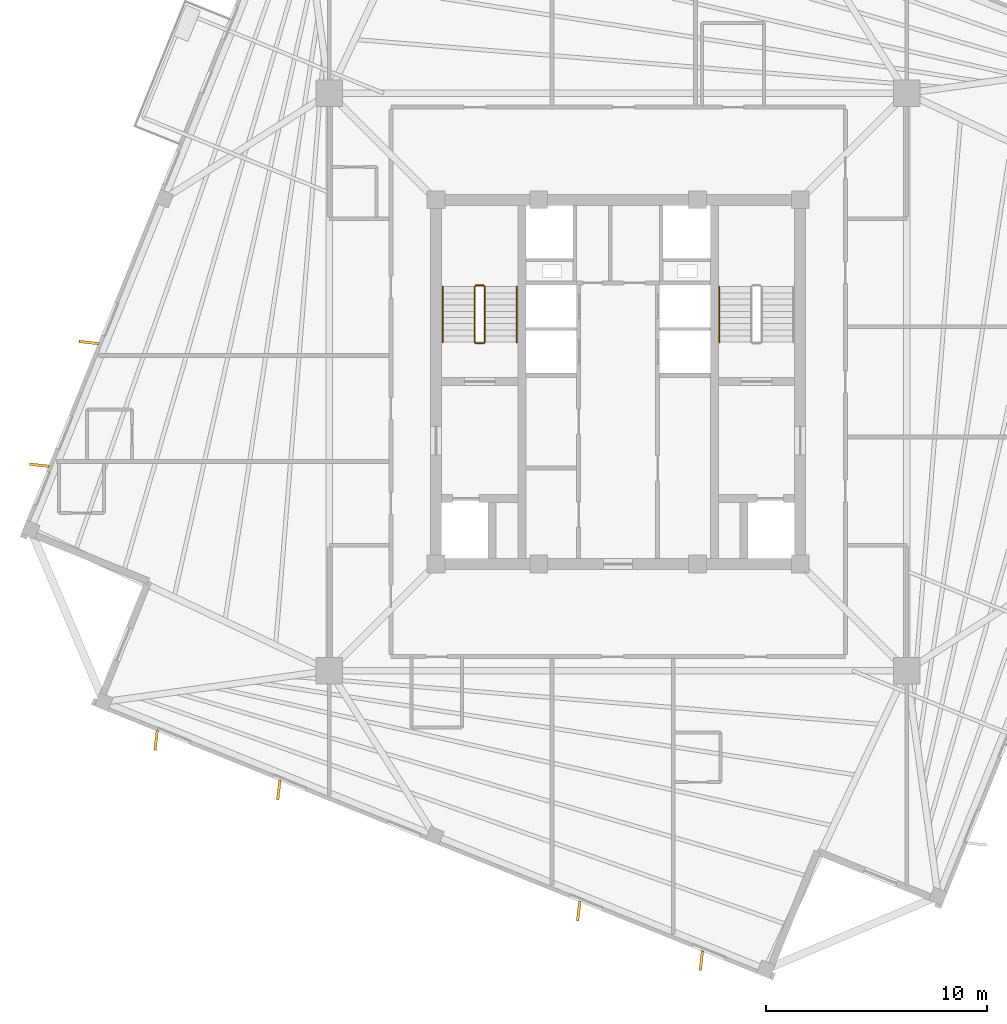
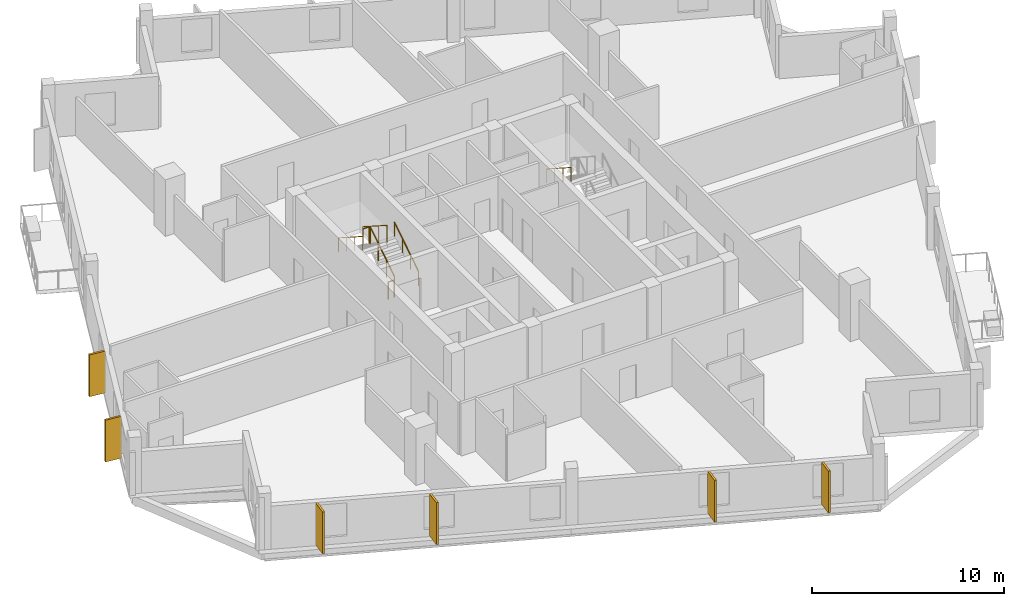
# One storey, part 6 of 8: 7 railings, 6 coverings.
"""IFC4 building model written with IfcOpenShell, lengths in metres."""

from ifc_helpers import new_model, si_unit, direction, frame, origin, origin_2d, place, context, subcontext, project, spatial, rectangle, circle, extrude, source, transform, mapped, material, layer, layer_set, type_object, element, save


model = new_model("IFC4")

# Units and contexts
model_context = context("Model", 3, precision=1e-05, world=origin(), true_north=direction((0.0, 1.0)))
body_context = subcontext(model_context, "Body", "Model", "MODEL_VIEW")
ifc_project = project(units=[si_unit("LENGTHUNIT", "METRE"), si_unit("AREAUNIT", "SQUARE_METRE"), si_unit("VOLUMEUNIT", "CUBIC_METRE"), si_unit("PLANEANGLEUNIT", "RADIAN"), si_unit("MASSUNIT", "GRAM", prefix="KILO"), si_unit("THERMODYNAMICTEMPERATUREUNIT", "KELVIN")], contexts=[model_context])

# Site, building, storey
site_placement = place(None, origin())
site = spatial("IfcSite", under=ifc_project, at=site_placement, CompositionType="ELEMENT")
building_placement = place(site_placement, origin())
building = spatial("IfcBuilding", under=site, at=building_placement, Name="Kosmvard Interchange Tower", CompositionType="ELEMENT")
storey_placement = place(building_placement, frame((0.0, 0.0, 304.800048828125)))
storey = spatial("IfcBuildingStorey", under=building, at=storey_placement, Name="L75", CompositionType="ELEMENT", Elevation=304.800048828125)

# Coverings
ifc_material_1 = material(Name="Architectural anodised aluminium", Category="aluminium")
ifc_layer = layer(ifc_material_1, 0.1201171875, Name="Architectural anodised aluminium")
ifc_layer_set = layer_set([ifc_layer], Name="Architectural anodised aluminium")
covering_type = type_object("IfcCoveringType", Name="Rotating Vertical Sun-Breaker Fin 900x120 Aluminium", PredefinedType="CLADDING", material=ifc_layer_set)
shared_shape_1 = source(origin(), body_context, "Body", "SweptSolid", [
    extrude(rectangle(XDim=0.89990234375, YDim=0.1201171875, at=origin_2d()), origin(), (0.0, 0.0, 1.0), 2.669921875),
])
for number, where, z_axis, x_axis, name in (
    (1, (-23.977783203125, 1.783935546875, 0.0400390625), (0.0, 0.0, 1.0), (-0.99367026578, 0.112336115762, 0.0), "L75 Rotating Vertical Sun-Breaker Fin 09"),
    (2, (-26.223876953125, -3.775390625, 0.0400390625), (0.0, 0.0, 1.0), (-0.99367026578, 0.112336115762, 0.0), "L75 Rotating Vertical Sun-Breaker Fin 10"),
    (3, (-20.932373046875, -16.2412109375, 0.0400390625), (0.0, 0.0, 1.0), (-0.112336115762, -0.99367026578, 0.0), "L75 Rotating Vertical Sun-Breaker Fin 11"),
    (4, (-15.373046875, -18.4873046875, 0.0400390625), (0.0, 0.0, 1.0), (-0.112336115762, -0.99367026578, 0.0), "L75 Rotating Vertical Sun-Breaker Fin 12"),
    (5, (-1.783935546875, -23.977783203125, 0.0400390625), (0.0, 0.0, 1.0), (-0.112336115762, -0.99367026578, 0.0), "L75 Rotating Vertical Sun-Breaker Fin 13"),
    (6, (3.775390625, -26.223876953125, 0.0400390625), (0.0, 0.0, 1.0), (-0.112336115762, -0.99367026578, 0.0), "L75 Rotating Vertical Sun-Breaker Fin 14"),
):
    element("IfcCovering", number, at=place(storey_placement, frame(where, z_axis=z_axis, x_axis=x_axis)), inside=storey, type_object=covering_type, Name=name, PredefinedType="CLADDING", context=body_context, shape_type="MappedRepresentation", body=[
        mapped(shared_shape_1, transform((0.0, 0.0, 0.0), scale=1.0)),
    ])

# Railings
ifc_material_2 = material(Name="Steel S355", Category="steel")
railing_type_1 = type_object("IfcRailingType", Name="Stair & Terrace Safety Guardrail 1100 Steel", PredefinedType="GUARDRAIL", material=ifc_material_2)
shared_shape_2 = source(origin(), body_context, "Body", "SweptSolid", [
    extrude(circle(Radius=0.02392578125, at=origin_2d()), frame((0.0, 0.0, 1.076171875), z_axis=(-1.0, 0.0, 0.0), x_axis=(0.0, -1.0, 0.0)), (0.0, 0.0, 1.0), 0.35986328125),
    extrude(circle(Radius=0.02099609375, at=origin_2d()), origin(), (0.0, 0.0, 1.0), 1.052001953125),
    extrude(circle(Radius=0.02099609375, at=origin_2d()), frame((-0.35986328125, 0.0, 0.0)), (0.0, 0.0, 1.0), 1.052001953125),
])
for number, where, name in (
    (7, (-6.090087890625, 4.3701171875, 1.800048828125), "L75 ST-1 stair guard 2"),
    (8, (-6.090087890625, 1.75, 0.0), "L75 ST-1 stair guard 4"),
):
    element("IfcRailing", number, at=place(storey_placement, frame(where)), inside=storey, type_object=railing_type_1, Name=name, PredefinedType="GUARDRAIL", context=body_context, shape_type="MappedRepresentation", body=[
        mapped(shared_shape_2, transform((0.0, 0.0, 0.0), scale=1.0)),
    ])
shared_shape_3 = source(origin(), body_context, "Body", "SweptSolid", [
    extrude(circle(Radius=0.02392578125, at=origin_2d()), frame((0.0, 0.0, 1.076171875), z_axis=(0.0, 0.841162588446, 0.540782303519), x_axis=(-1.0, 0.0, 0.0)), (0.0, 0.0, 1.0), 2.995849609375),
    extrude(circle(Radius=0.02099609375, at=origin_2d()), origin(), (0.0, 0.0, 1.0), 1.052001953125),
    extrude(circle(Radius=0.02099609375, at=origin_2d()), frame((0.0, 0.840087890625, 0.5400390625)), (0.0, 0.0, 1.0), 1.052001953125),
    extrude(circle(Radius=0.02099609375, at=origin_2d()), frame((0.0, 1.679931640625, 1.080078125)), (0.0, 0.0, 1.0), 1.052001953125),
    extrude(circle(Radius=0.02099609375, at=origin_2d()), frame((0.0, 2.52001953125, 1.6201171875)), (0.0, 0.0, 1.0), 1.052001953125),
])
railing_1_placement = place(storey_placement, frame((-6.0400390625, 1.800048828125, 0.179931640625)))
element("IfcRailing", 9, at=railing_1_placement, inside=storey, type_object=railing_type_1, Name="L75 ST-1 stair guard 1", PredefinedType="GUARDRAIL", context=body_context, shape_type="MappedRepresentation", body=[
    mapped(shared_shape_3, transform((0.0, 0.0, 0.0), scale=1.0)),
])
railing_type_2 = type_object("IfcRailingType", Name="Wall-Mounted Stair Handrail 900 Steel", PredefinedType="HANDRAIL", material=ifc_material_2)
shared_shape_4 = source(origin(), body_context, "Body", "SweptSolid", [
    extrude(circle(Radius=0.02392578125, at=origin_2d()), frame((0.0, 0.0, 0.8759765625), z_axis=(0.0, 0.841162588446, 0.540782303519), x_axis=(-1.0, 0.0, 0.0)), (0.0, 0.0, 1.0), 2.995849609375),
    extrude(circle(Radius=0.02099609375, at=origin_2d()), origin(), (0.0, 0.0, 1.0), 0.851806640625),
    extrude(circle(Radius=0.02099609375, at=origin_2d()), frame((0.0, 0.840087890625, 0.5400390625)), (0.0, 0.0, 1.0), 0.851806640625),
    extrude(circle(Radius=0.02099609375, at=origin_2d()), frame((0.0, 1.679931640625, 1.080078125)), (0.0, 0.0, 1.0), 0.851806640625),
    extrude(circle(Radius=0.02099609375, at=origin_2d()), frame((0.0, 2.52001953125, 1.6201171875)), (0.0, 0.0, 1.0), 0.851806640625),
])
railing_2_placement = place(storey_placement, frame((-4.590087890625, 1.800048828125, 0.179931640625)))
element("IfcRailing", 10, at=railing_2_placement, inside=storey, type_object=railing_type_2, Name="L75 ST-1 stair handrail 1", PredefinedType="HANDRAIL", context=body_context, shape_type="MappedRepresentation", body=[
    mapped(shared_shape_4, transform((0.0, 0.0, 0.0), scale=1.0)),
])
shared_shape_5 = source(origin(), body_context, "Body", "SweptSolid", [
    extrude(circle(Radius=0.02392578125, at=origin_2d()), frame((0.0, 0.0, 1.076171875), z_axis=(0.0, -0.841199657755, 0.540724639528), x_axis=(1.0, 0.0, 0.0)), (0.0, 0.0, 1.0), 2.995849609375),
    extrude(circle(Radius=0.02099609375, at=origin_2d()), origin(), (0.0, 0.0, 1.0), 1.052001953125),
    extrude(circle(Radius=0.02099609375, at=origin_2d()), frame((0.0, -0.840087890625, 0.5400390625)), (0.0, 0.0, 1.0), 1.052001953125),
    extrude(circle(Radius=0.02099609375, at=origin_2d()), frame((0.0, -1.679931640625, 1.079833984375)), (0.0, 0.0, 1.0), 1.052001953125),
    extrude(circle(Radius=0.02099609375, at=origin_2d()), frame((0.0, -2.52001953125, 1.619873046875)), (0.0, 0.0, 1.0), 1.052001953125),
])
railing_3_placement = place(storey_placement, frame((-6.5, 4.320068359375, 1.97998046875)))
element("IfcRailing", 11, at=railing_3_placement, inside=storey, type_object=railing_type_1, Name="L75 ST-1 stair guard 3", PredefinedType="GUARDRAIL", context=body_context, shape_type="MappedRepresentation", body=[
    mapped(shared_shape_5, transform((0.0, 0.0, 0.0), scale=1.0)),
])
shared_shape_6 = source(origin(), body_context, "Body", "SweptSolid", [
    extrude(circle(Radius=0.02392578125, at=origin_2d()), frame((0.0, 0.0, 0.8759765625), z_axis=(0.0, -0.841199657755, 0.540724639528), x_axis=(1.0, 0.0, 0.0)), (0.0, 0.0, 1.0), 2.995849609375),
    extrude(circle(Radius=0.02099609375, at=origin_2d()), origin(), (0.0, 0.0, 1.0), 0.851806640625),
    extrude(circle(Radius=0.02099609375, at=origin_2d()), frame((0.0, -0.840087890625, 0.5400390625)), (0.0, 0.0, 1.0), 0.851806640625),
    extrude(circle(Radius=0.02099609375, at=origin_2d()), frame((0.0, -1.679931640625, 1.079833984375)), (0.0, 0.0, 1.0), 0.851806640625),
    extrude(circle(Radius=0.02099609375, at=origin_2d()), frame((0.0, -2.52001953125, 1.619873046875)), (0.0, 0.0, 1.0), 0.851806640625),
])
for number, where, name in (
    (12, (-7.949951171875, 4.320068359375, 1.97998046875), "L75 ST-1 stair handrail 2"),
    (13, (4.590087890625, 4.320068359375, 1.97998046875), "L75 ST-2 stair handrail 2"),
):
    element("IfcRailing", number, at=place(storey_placement, frame(where)), inside=storey, type_object=railing_type_2, Name=name, PredefinedType="HANDRAIL", context=body_context, shape_type="MappedRepresentation", body=[
        mapped(shared_shape_6, transform((0.0, 0.0, 0.0), scale=1.0)),
    ])

save(model, "model.ifc")
